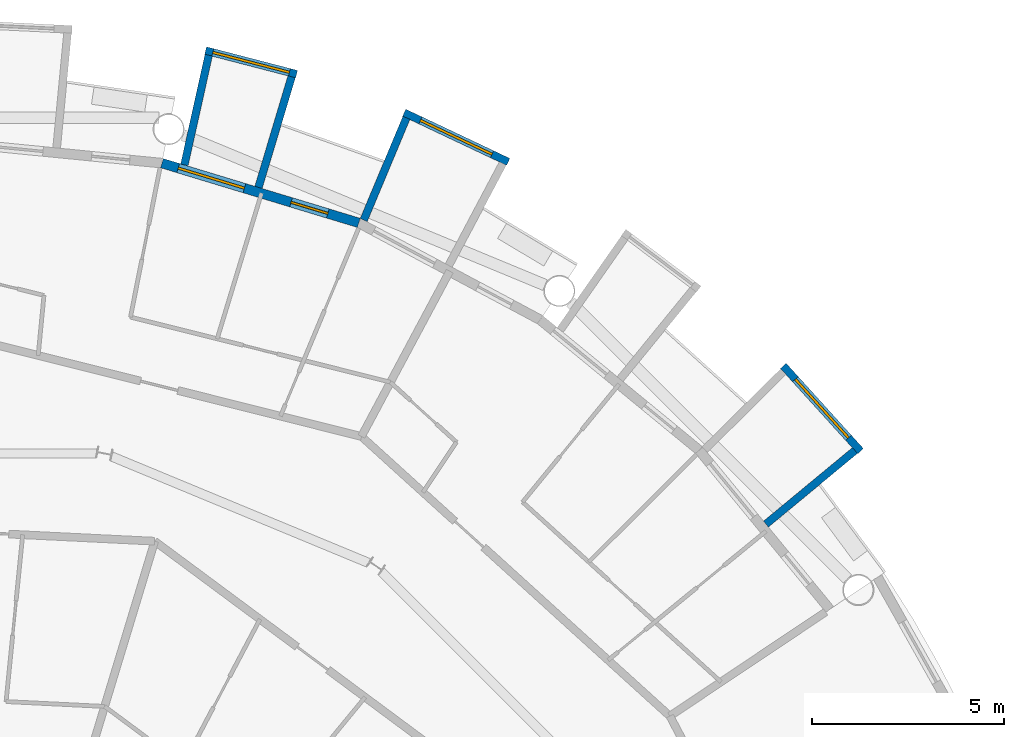
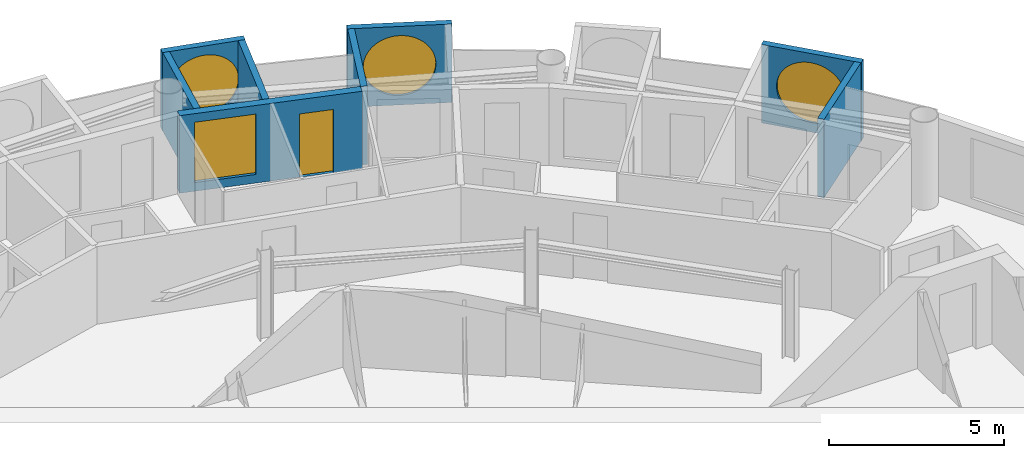
# One storey, part 25 of 29: 8 walls, 4 windows, 1 door, 5 openings.
"""IFC4 building model written with IfcOpenShell, lengths in metres."""

from ifc_helpers import new_model, si_unit, direction, frame, frame_2d, origin, place, context, subcontext, project, spatial, rectangle, circle, extrude, material, layer, layer_set, type_object, element, fill, save


model = new_model("IFC4")

# Units and contexts
model_context = context("Model", 3, precision=1e-05, world=origin(), true_north=direction((0.0, 1.0)))
body_context = subcontext(model_context, "Body", "Model", "MODEL_VIEW")
ifc_project = project(units=[si_unit("LENGTHUNIT", "METRE"), si_unit("AREAUNIT", "SQUARE_METRE"), si_unit("VOLUMEUNIT", "CUBIC_METRE"), si_unit("PLANEANGLEUNIT", "RADIAN"), si_unit("MASSUNIT", "GRAM", prefix="KILO")], contexts=[model_context])

# Site, building, storey
site_placement = place(None, origin())
site = spatial("IfcSite", under=ifc_project, at=site_placement, CompositionType="ELEMENT")
building_placement = place(site_placement, origin())
building = spatial("IfcBuilding", under=site, at=building_placement, Name="Maasbend Ring Residences", CompositionType="ELEMENT")
storey_placement = place(building_placement, frame((0.0, 0.0, 190.199951171875)))
storey = spatial("IfcBuildingStorey", under=building, at=storey_placement, Name="L54", CompositionType="ELEMENT", Elevation=190.199951171875)

# Wall, opening, window
ifc_material_1 = material(Name="Pale anodised aluminium panel", Category="aluminium")
ifc_layer_1 = layer(ifc_material_1, 0.199951171875)
ifc_layer_set_1 = layer_set([ifc_layer_1], Name="EW-BOX")
wall_type_1 = type_object("IfcWallType", Name="EW-BOX", PredefinedType="SOLIDWALL", material=ifc_layer_set_1)
wall_1_placement = place(storey_placement, frame((23.5029296875, 19.281982421875, -0.030029296875), z_axis=(0.0, 0.0, 1.0), x_axis=(-0.671506829416, 0.740998365753, 0.0)))
wall_1 = element("IfcWall", 1, at=wall_1_placement, inside=storey, type_object=wall_type_1, Name="Box front N02", PredefinedType="SOLIDWALL", context=body_context, shape_type="SweptSolid", body=[
    extrude(rectangle(XDim=2.9931640625, YDim=0.199951171875, at=frame_2d((1.49658203125, 0.0))), origin(), (0.0, 0.0, 1.0), 2.72998046875),
])
opening_1_placement = place(wall_1_placement, frame((0.45654296875, 0.0, 0.330078125)))
opening_1 = element("IfcOpeningElement", 2, at=opening_1_placement, cuts=wall_1, Name="Opening W-RD", PredefinedType="OPENING", context=body_context, shape_type="SweptSolid", body=[
    extrude(circle(Radius=1.0400390625, at=frame_2d((1.0400390625, 1.0400390625))), frame((0.0, 0.10986328125, 0.0), z_axis=(0.0, -1.0, 0.0), x_axis=(1.0, 0.0, 0.0)), (0.0, 0.0, 1.0), 0.219970703125),
])
ifc_material_2 = material(Name="Aluminium and clear glass", Category="aluminium")
window_type_1 = type_object("IfcWindowType", Name="W-RD", PartitioningType="SINGLE_PANEL", PredefinedType="WINDOW", material=ifc_material_2)
window_1_placement = place(opening_1_placement, origin())
window_1 = element("IfcWindow", 3, at=window_1_placement, inside=storey, type_object=window_type_1, Name="Round window N02", OverallHeight=2.080078125, OverallWidth=2.080078125, PartitioningType="SINGLE_PANEL", PredefinedType="WINDOW", context=body_context, shape_type="SweptSolid", body=[
    extrude(circle(Radius=1.0400390625, at=frame_2d((1.0400390625, 1.0400390625))), frame((0.0, 0.030029296875, 0.0), z_axis=(0.0, -1.0, 0.0), x_axis=(1.0, 0.0, 0.0)), (0.0, 0.0, 1.0), 0.06005859375),
])
fill(opening_1, window_1)

# Wall
wall_2_placement = place(storey_placement, frame((21.041015625, 17.384033203125, -0.030029296875), z_axis=(0.0, 0.0, 1.0), x_axis=(0.770784861449, 0.63709551667, 0.0)))
element("IfcWall", 4, at=wall_2_placement, inside=storey, type_object=wall_type_1, Name="Box side wall N02 left", PredefinedType="SOLIDWALL", context=body_context, shape_type="SweptSolid", body=[
    extrude(rectangle(XDim=3.005859375, YDim=0.199951171875, at=frame_2d((1.5029296875, 0.0))), origin(), (0.0, 0.0, 1.0), 2.72998046875),
])

# Wall, opening, window
wall_3_placement = place(storey_placement, frame((14.3349609375, 26.80810546875, -0.030029296875), z_axis=(0.0, 0.0, 1.0), x_axis=(-0.904000060331, 0.427532327342, 0.0)))
wall_3 = element("IfcWall", 5, at=wall_3_placement, inside=storey, type_object=wall_type_1, Name="Box front N06", PredefinedType="SOLIDWALL", context=body_context, shape_type="SweptSolid", body=[
    extrude(rectangle(XDim=2.993408203125, YDim=0.199951171875, at=frame_2d((1.49658203125, 0.0))), origin(), (0.0, 0.0, 1.0), 2.72998046875),
])
opening_2_placement = place(wall_3_placement, frame((0.45654296875, 0.0, 0.330078125)))
opening_2 = element("IfcOpeningElement", 6, at=opening_2_placement, cuts=wall_3, Name="Opening W-RD", PredefinedType="OPENING", context=body_context, shape_type="SweptSolid", body=[
    extrude(circle(Radius=1.0400390625, at=frame_2d((1.0400390625, 1.0400390625))), frame((0.0, 0.10986328125, 0.0), z_axis=(0.0, -1.0, 0.0), x_axis=(1.0, 0.0, 0.0)), (0.0, 0.0, 1.0), 0.219970703125),
])
window_2_placement = place(opening_2_placement, origin())
window_2 = element("IfcWindow", 7, at=window_2_placement, inside=storey, type_object=window_type_1, Name="Round window N06", OverallHeight=2.080078125, OverallWidth=2.080078125, PartitioningType="SINGLE_PANEL", PredefinedType="WINDOW", context=body_context, shape_type="SweptSolid", body=[
    extrude(circle(Radius=1.0400390625, at=frame_2d((1.0400390625, 1.0400390625))), frame((0.0, 0.030029296875, 0.0), z_axis=(0.0, -1.0, 0.0), x_axis=(1.0, 0.0, 0.0)), (0.0, 0.0, 1.0), 0.06005859375),
])
fill(opening_2, window_2)

# Wall
wall_4_placement = place(storey_placement, frame((10.574951171875, 25.294921875, -0.030029296875), z_axis=(0.0, 0.0, 1.0), x_axis=(0.385697364644, 0.922625353492, 0.0)))
element("IfcWall", 8, at=wall_4_placement, inside=storey, type_object=wall_type_1, Name="Box side wall N06 right", PredefinedType="SOLIDWALL", context=body_context, shape_type="SweptSolid", body=[
    extrude(rectangle(XDim=2.88330078125, YDim=0.199951171875, at=frame_2d((1.441650390625, 0.0))), origin(), (0.0, 0.0, 1.0), 2.72998046875),
])

# Wall, opening, window
wall_5_placement = place(storey_placement, frame((8.8291015625, 29.090087890625, -0.030029296875), z_axis=(0.0, 0.0, 1.0), x_axis=(-0.96789536872, 0.251353446784, 0.0)))
wall_5 = element("IfcWall", 9, at=wall_5_placement, inside=storey, type_object=wall_type_1, Name="Box front N08", PredefinedType="SOLIDWALL", context=body_context, shape_type="SweptSolid", body=[
    extrude(rectangle(XDim=2.44677734375, YDim=0.199951171875, at=frame_2d((1.223388671875, 0.0))), origin(), (0.0, 0.0, 1.0), 2.72998046875),
])
opening_3_placement = place(wall_5_placement, frame((0.182861328125, 0.0, 0.330078125)))
opening_3 = element("IfcOpeningElement", 10, at=opening_3_placement, cuts=wall_5, Name="Opening W-RD", PredefinedType="OPENING", context=body_context, shape_type="SweptSolid", body=[
    extrude(circle(Radius=1.0400390625, at=frame_2d((1.0400390625, 1.0400390625))), frame((0.0, 0.10986328125, 0.0), z_axis=(0.0, -1.0, 0.0), x_axis=(1.0, 0.0, 0.0)), (0.0, 0.0, 1.0), 0.219970703125),
])
window_3_placement = place(opening_3_placement, origin())
window_3 = element("IfcWindow", 11, at=window_3_placement, inside=storey, type_object=window_type_1, Name="Round window N08", OverallHeight=2.080078125, OverallWidth=2.080078125, PartitioningType="SINGLE_PANEL", PredefinedType="WINDOW", context=body_context, shape_type="SweptSolid", body=[
    extrude(circle(Radius=1.0400390625, at=frame_2d((1.0400390625, 1.0400390625))), frame((0.0, 0.030029296875, 0.0), z_axis=(0.0, -1.0, 0.0), x_axis=(1.0, 0.0, 0.0)), (0.0, 0.0, 1.0), 0.06005859375),
])
fill(opening_3, window_3)

# Walls
wall_6_placement = place(storey_placement, frame((7.8369140625, 26.14404296875, -0.030029296875), z_axis=(0.0, 0.0, 1.0), x_axis=(0.287064767992, 0.957911174889, 0.0)))
element("IfcWall", 12, at=wall_6_placement, inside=storey, type_object=wall_type_1, Name="Box side wall N08 left", PredefinedType="SOLIDWALL", context=body_context, shape_type="SweptSolid", body=[
    extrude(rectangle(XDim=3.00634765625, YDim=0.199951171875, at=frame_2d((1.503173828125, 0.0))), origin(), (0.0, 0.0, 1.0), 2.72998046875),
])
wall_7_placement = place(storey_placement, frame((5.908935546875, 26.72900390625, -0.030029296875), z_axis=(0.0, 0.0, 1.0), x_axis=(0.216409053917, 0.976302781612, 0.0)))
element("IfcWall", 13, at=wall_7_placement, inside=storey, type_object=wall_type_1, Name="Box side wall N08 right", PredefinedType="SOLIDWALL", context=body_context, shape_type="SweptSolid", body=[
    extrude(rectangle(XDim=2.92529296875, YDim=0.199951171875, at=frame_2d((1.462646484375, 0.0))), origin(), (0.0, 0.0, 1.0), 2.72998046875),
])

# Wall, openings, door, window
ifc_material_3 = material(Name="Aluminium clad insulated panel", Category="aluminium")
ifc_layer_2 = layer(ifc_material_3, 0.25)
ifc_layer_set_2 = layer_set([ifc_layer_2], Name="EW-GL")
wall_type_2 = type_object("IfcWallType", Name="EW-GL", PredefinedType="SOLIDWALL", material=ifc_layer_set_2)
wall_8_placement = place(storey_placement, frame((10.447021484375, 25.221923828125, 0.0), z_axis=(0.0, 0.0, 1.0), x_axis=(-0.956965678721, 0.290201119486, 0.0)))
wall_8 = element("IfcWall", 14, at=wall_8_placement, inside=storey, type_object=wall_type_2, Name="External wall N04", PredefinedType="SOLIDWALL", context=body_context, shape_type="SweptSolid", body=[
    extrude(rectangle(XDim=5.351318359375, YDim=0.25, at=frame_2d((2.67578125, 0.0))), origin(), (0.0, 0.0, 1.0), 2.699951171875),
])
opening_4_placement = place(wall_8_placement, frame((0.841064453125, 0.0, 0.0)))
opening_4 = element("IfcOpeningElement", 15, at=opening_4_placement, cuts=wall_8, Name="Opening D-LG", PredefinedType="OPENING", context=body_context, shape_type="SweptSolid", body=[
    extrude(rectangle(XDim=1.0, YDim=2.199951171875, at=frame_2d((0.5, 1.10009765625))), frame((0.0, 0.135009765625, 0.0), z_axis=(0.0, -1.0, 0.0), x_axis=(1.0, 0.0, 0.0)), (0.0, 0.0, 1.0), 0.27001953125),
])
opening_5_placement = place(wall_8_placement, frame((3.110595703125, 0.0, 0.300048828125)))
opening_5 = element("IfcOpeningElement", 16, at=opening_5_placement, cuts=wall_8, Name="Opening W-BX", PredefinedType="OPENING", context=body_context, shape_type="SweptSolid", body=[
    extrude(rectangle(XDim=1.800048828125, YDim=2.10009765625, at=frame_2d((0.89990234375, 1.050048828125))), frame((0.0, 0.135009765625, 0.0), z_axis=(0.0, -1.0, 0.0), x_axis=(1.0, 0.0, 0.0)), (0.0, 0.0, 1.0), 0.27001953125),
])
ifc_material_4 = material(Name="Aluminium and clear glass", Category="aluminium")
door_type = type_object("IfcDoorType", Name="D-LG", OperationType="SINGLE_SWING_LEFT", PredefinedType="DOOR", material=ifc_material_4)
door_placement = place(opening_4_placement, origin())
door = element("IfcDoor", 17, at=door_placement, inside=storey, type_object=door_type, Name="Loggia door N07", OperationType="SINGLE_SWING_LEFT", OverallHeight=2.199951171875, OverallWidth=1.0, PredefinedType="DOOR", context=body_context, shape_type="SweptSolid", body=[
    extrude(rectangle(XDim=1.0, YDim=2.199951171875, at=frame_2d((0.5, 1.10009765625))), frame((0.0, 0.02490234375, 0.0), z_axis=(0.0, -1.0, 0.0), x_axis=(1.0, 0.0, 0.0)), (0.0, 0.0, 1.0), 0.050048828125),
])
fill(opening_4, door)
ifc_material_5 = material(Name="Aluminium and clear glass", Category="aluminium")
window_type_2 = type_object("IfcWindowType", Name="W-BX", PartitioningType="DOUBLE_PANEL_VERTICAL", PredefinedType="WINDOW", material=ifc_material_5)
window_4_placement = place(opening_5_placement, origin())
window_4 = element("IfcWindow", 18, at=window_4_placement, inside=storey, type_object=window_type_2, Name="Window N08 room to box", OverallHeight=2.10009765625, OverallWidth=1.800048828125, PartitioningType="SINGLE_PANEL", PredefinedType="WINDOW", context=body_context, shape_type="SweptSolid", body=[
    extrude(rectangle(XDim=1.800048828125, YDim=2.10009765625, at=frame_2d((0.89990234375, 1.050048828125))), frame((0.0, 0.030029296875, 0.0), z_axis=(0.0, -1.0, 0.0), x_axis=(1.0, 0.0, 0.0)), (0.0, 0.0, 1.0), 0.06005859375),
])
fill(opening_5, window_4)

save(model, "model.ifc")
